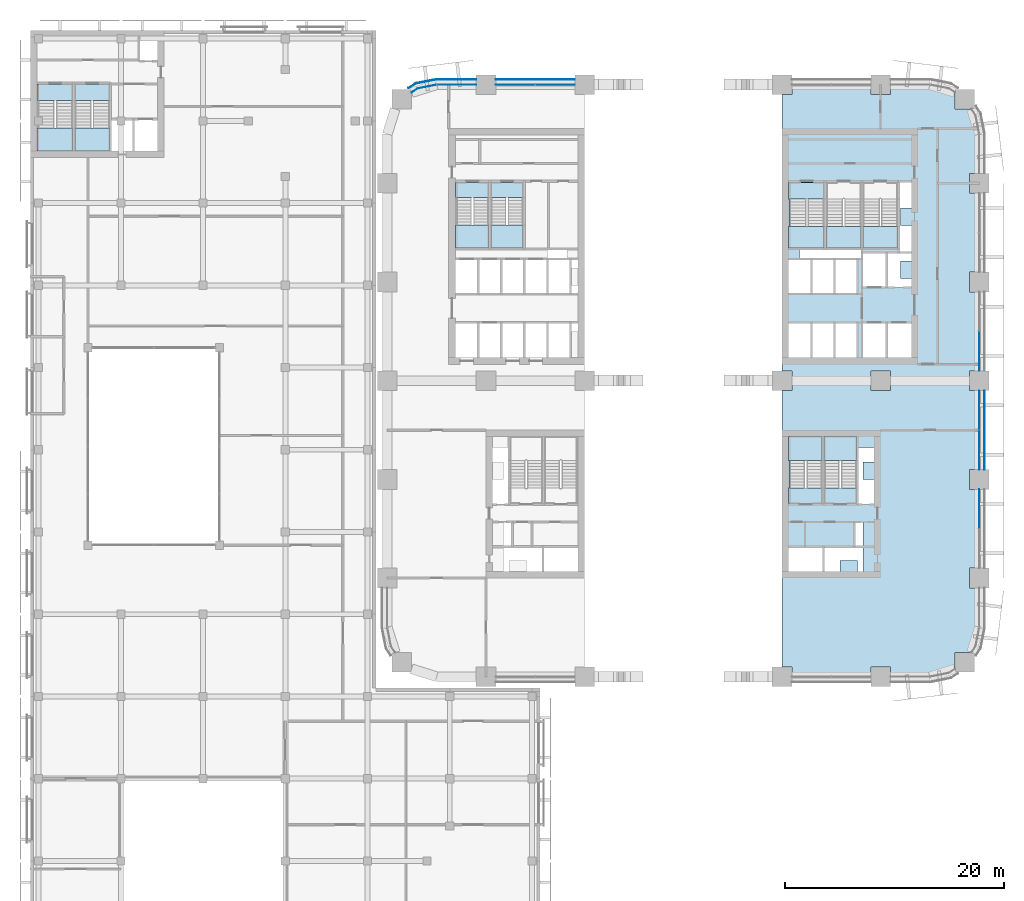
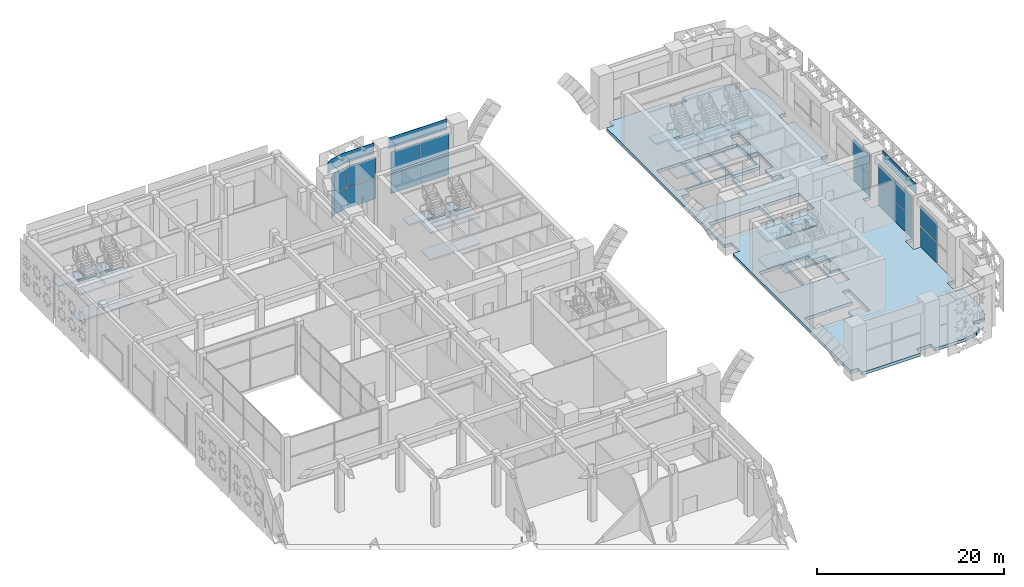
# One storey, part 12 of 42: 26 slabs, 19 plates, 14 elements without a shape of their own.
"""IFC4 building model written with IfcOpenShell, lengths in metres."""

from ifc_helpers import new_model, si_unit, direction, frame, origin, origin_2d, place, context, subcontext, project, spatial, polyline, rectangle, outline, extrude, material, layer, layer_set, type_object, element, aggregate, save


model = new_model("IFC4")

# Units and contexts
model_context = context("Model", 3, precision=1e-05, world=origin(), true_north=direction((0.0, 1.0)))
body_context = subcontext(model_context, "Body", "Model", "MODEL_VIEW")
ifc_project = project(units=[si_unit("LENGTHUNIT", "METRE"), si_unit("AREAUNIT", "SQUARE_METRE"), si_unit("VOLUMEUNIT", "CUBIC_METRE"), si_unit("PLANEANGLEUNIT", "RADIAN"), si_unit("MASSUNIT", "GRAM", prefix="KILO")], contexts=[model_context])

# Site, building, storey
site_placement = place(None, origin())
site = spatial("IfcSite", under=ifc_project, at=site_placement, CompositionType="ELEMENT")
building_placement = place(site_placement, origin())
building = spatial("IfcBuilding", under=site, at=building_placement, Name="Tessera Arch", CompositionType="ELEMENT")
storey_placement = place(building_placement, frame((0.0, 0.0, 14.0)))
storey = spatial("IfcBuildingStorey", under=building, at=storey_placement, Name="L02", CompositionType="ELEMENT", Elevation=14.0)

# Curtain wall, plates
ifc_material_1 = material(Name="CW2 curtain wall")
curtain_wall_type_1 = type_object("IfcCurtainWallType", Name="CW2 curtain wall", PredefinedType="NOTDEFINED", material=ifc_material_1)
curtain_wall_1_placement = place(storey_placement, origin())
curtain_wall_1 = element("IfcCurtainWall", 1, at=curtain_wall_1_placement, inside=storey, type_object=curtain_wall_type_1, Name="CW2 curtain wall N54.0/1 L02", PredefinedType="NOTDEFINED")
ifc_material_2 = material(Name="Clear low-e glass", Category="glass")
ifc_layer_1 = layer(ifc_material_2, 0.028076171875)
ifc_layer_set_1 = layer_set([ifc_layer_1], Name="CW2 glass panel")
plate_type_1 = type_object("IfcPlateType", Name="CW2 glass panel", PredefinedType="CURTAIN_PANEL", material=ifc_layer_set_1)
plate_1_placement = place(storey_placement, frame((6.320068359375, 54.0, 0.0), z_axis=(0.0, 0.0, 1.0), x_axis=(-1.0, 0.0, 0.0)))
plate_1 = element("IfcPlate", 2, at=plate_1_placement, type_object=plate_type_1, Name="CW2 glass panel N54.0/1 1.1", PredefinedType="CURTAIN_PANEL", context=body_context, shape_type="SweptSolid", body=[
    extrude(rectangle(XDim=3.56005859375, YDim=0.028076171875, at=origin_2d()), origin(), (0.0, 0.0, 1.0), 2.695068359375),
])
plate_2_placement = place(storey_placement, origin())
plate_2 = element("IfcPlate", 3, at=plate_2_placement, type_object=plate_type_1, Name="CW2 curved glass panel N54.0/1 2.1", PredefinedType="CURTAIN_PANEL", context=body_context, shape_type="SweptSolid", body=[
    extrude(outline(polyline([(2.783447265625, 53.644287109375), (4.46337890625, 53.978515625), (4.4580078125, 54.005859375), (2.7724609375, 53.670654296875), (2.210205078125, 53.294921875), (2.225830078125, 53.271728515625), (2.783447265625, 53.644287109375)])), origin(), (0.0, 0.0, 1.0), 2.695068359375),
])
plate_3_placement = place(storey_placement, frame((6.320068359375, 54.0, 2.794921875), z_axis=(0.0, 0.0, 1.0), x_axis=(-1.0, 0.0, 0.0)))
plate_3 = element("IfcPlate", 4, at=plate_3_placement, type_object=plate_type_1, Name="CW2 glass panel N54.0/1 1.2", PredefinedType="CURTAIN_PANEL", context=body_context, shape_type="SweptSolid", body=[
    extrude(rectangle(XDim=3.56005859375, YDim=0.028076171875, at=origin_2d()), origin(), (0.0, 0.0, 1.0), 2.695068359375),
])
plate_4_placement = place(storey_placement, frame((0.0, 0.0, 2.794921875)))
plate_4 = element("IfcPlate", 5, at=plate_4_placement, type_object=plate_type_1, Name="CW2 curved glass panel N54.0/1 2.2", PredefinedType="CURTAIN_PANEL", context=body_context, shape_type="SweptSolid", body=[
    extrude(outline(polyline([(2.783447265625, 53.644287109375), (4.46337890625, 53.978515625), (4.4580078125, 54.005859375), (2.7724609375, 53.670654296875), (2.210205078125, 53.294921875), (2.225830078125, 53.271728515625), (2.783447265625, 53.644287109375)])), origin(), (0.0, 0.0, 1.0), 2.695068359375),
])
ifc_material_3 = material(Name="Pale anodised aluminium panel", Category="aluminium")
ifc_layer_2 = layer(ifc_material_3, 0.06005859375)
ifc_layer_set_2 = layer_set([ifc_layer_2], Name="CW2 spandrel panel")
plate_type_2 = type_object("IfcPlateType", Name="CW2 spandrel panel", PredefinedType="CURTAIN_PANEL", material=ifc_layer_set_2)
plate_5_placement = place(storey_placement, frame((0.0, 0.0, 5.590087890625)))
plate_5 = element("IfcPlate", 6, at=plate_5_placement, type_object=plate_type_2, Name="CW2 spandrel panel N54.0/1", PredefinedType="CURTAIN_PANEL", context=body_context, shape_type="SweptSolid", body=[
    extrude(outline(polyline([(4.500732421875, 54.449951171875), (8.10009765625, 54.449951171875), (8.10009765625, 54.510009765625), (4.499267578125, 54.510009765625), (4.449951171875, 54.507568359375), (4.401123046875, 54.500244140625), (2.677734375, 54.157470703125), (2.6298828125, 54.1455078125), (2.582763671875, 54.128662109375), (2.537353515625, 54.107177734375), (2.4951171875, 54.08203125), (1.9345703125, 53.707275390625), (1.968017578125, 53.657470703125), (2.52734375, 54.03125), (2.565673828125, 54.05419921875), (2.605712890625, 54.0732421875), (2.647216796875, 54.088134765625), (2.69091796875, 54.09912109375), (4.411376953125, 54.441162109375), (4.455810546875, 54.44775390625), (4.500732421875, 54.449951171875)])), origin(), (0.0, 0.0, 1.0), 1.409912109375),
])
aggregate(curtain_wall_1, [plate_1, plate_2, plate_3, plate_4, plate_5])

ifc_material_4 = material(Name="CW6 curtain wall")
curtain_wall_type_2 = type_object("IfcCurtainWallType", Name="CW6 curtain wall", PredefinedType="NOTDEFINED", material=ifc_material_4)
curtain_wall_2_placement = place(storey_placement, origin())
curtain_wall_2 = element("IfcCurtainWall", 7, at=curtain_wall_2_placement, inside=storey, type_object=curtain_wall_type_2, Name="CW6 curtain wall N54.0/0 L02", PredefinedType="NOTDEFINED")
ifc_material_5 = material(Name="Clear low-e glass", Category="glass")
ifc_layer_3 = layer(ifc_material_5, 0.028076171875)
ifc_layer_set_3 = layer_set([ifc_layer_3], Name="CW6 glass panel")
plate_type_3 = type_object("IfcPlateType", Name="CW6 glass panel", PredefinedType="CURTAIN_PANEL", material=ifc_layer_set_3)
plate_6_placement = place(storey_placement, frame((15.3173828125, 54.0, 0.0), z_axis=(0.0, 0.0, 1.0), x_axis=(-1.0, 0.0, 0.0)))
plate_6 = element("IfcPlate", 8, at=plate_6_placement, type_object=plate_type_3, Name="CW6 glass panel N54.0/0 1.1.1", PredefinedType="CURTAIN_PANEL", context=body_context, shape_type="SweptSolid", body=[
    extrude(rectangle(XDim=3.56494140625, YDim=0.028076171875, at=origin_2d()), origin(), (0.0, 0.0, 1.0), 2.675048828125),
])
plate_7_placement = place(storey_placement, frame((15.3173828125, 54.0, 2.794921875), z_axis=(0.0, 0.0, 1.0), x_axis=(-1.0, 0.0, 0.0)))
plate_7 = element("IfcPlate", 9, at=plate_7_placement, type_object=plate_type_3, Name="CW6 glass panel N54.0/0 1.1.2", PredefinedType="CURTAIN_PANEL", context=body_context, shape_type="SweptSolid", body=[
    extrude(rectangle(XDim=3.56494140625, YDim=0.028076171875, at=origin_2d()), origin(), (0.0, 0.0, 1.0), 2.675048828125),
])
plate_8_placement = place(storey_placement, frame((11.6826171875, 54.0, 0.0), z_axis=(0.0, 0.0, 1.0), x_axis=(-1.0, 0.0, 0.0)))
plate_8 = element("IfcPlate", 10, at=plate_8_placement, type_object=plate_type_3, Name="CW6 glass panel N54.0/0 1.2.1", PredefinedType="CURTAIN_PANEL", context=body_context, shape_type="SweptSolid", body=[
    extrude(rectangle(XDim=3.56494140625, YDim=0.028076171875, at=origin_2d()), origin(), (0.0, 0.0, 1.0), 2.675048828125),
])
plate_9_placement = place(storey_placement, frame((11.6826171875, 54.0, 2.794921875), z_axis=(0.0, 0.0, 1.0), x_axis=(-1.0, 0.0, 0.0)))
plate_9 = element("IfcPlate", 11, at=plate_9_placement, type_object=plate_type_3, Name="CW6 glass panel N54.0/0 1.2.2", PredefinedType="CURTAIN_PANEL", context=body_context, shape_type="SweptSolid", body=[
    extrude(rectangle(XDim=3.56494140625, YDim=0.028076171875, at=origin_2d()), origin(), (0.0, 0.0, 1.0), 2.675048828125),
])

curtain_wall_3_placement = place(storey_placement, origin())
curtain_wall_3 = element("IfcCurtainWall", 12, at=curtain_wall_3_placement, inside=storey, type_object=curtain_wall_type_2, Name="CW6 curtain wall E54.0/0 L02", PredefinedType="NOTDEFINED")
plate_10_placement = place(storey_placement, frame((54.0, 15.3173828125, 0.0), z_axis=(0.0, 0.0, 1.0), x_axis=(0.0, 1.0, 0.0)))
plate_10 = element("IfcPlate", 13, at=plate_10_placement, type_object=plate_type_3, Name="CW6 glass panel E54.0/0 1.2.1", PredefinedType="CURTAIN_PANEL", context=body_context, shape_type="SweptSolid", body=[
    extrude(rectangle(XDim=3.56494140625, YDim=0.028076171875, at=origin_2d()), origin(), (0.0, 0.0, 1.0), 2.675048828125),
])
plate_11_placement = place(storey_placement, frame((54.0, 15.3173828125, 2.794921875), z_axis=(0.0, 0.0, 1.0), x_axis=(0.0, 1.0, 0.0)))
plate_11 = element("IfcPlate", 14, at=plate_11_placement, type_object=plate_type_3, Name="CW6 glass panel E54.0/0 1.2.2", PredefinedType="CURTAIN_PANEL", context=body_context, shape_type="SweptSolid", body=[
    extrude(rectangle(XDim=3.56494140625, YDim=0.028076171875, at=origin_2d()), origin(), (0.0, 0.0, 1.0), 2.675048828125),
])
aggregate(curtain_wall_3, [plate_10, plate_11])

curtain_wall_4_placement = place(storey_placement, origin())
curtain_wall_4 = element("IfcCurtainWall", 15, at=curtain_wall_4_placement, inside=storey, type_object=curtain_wall_type_2, Name="CW6 curtain wall E54.0/1 L02", PredefinedType="NOTDEFINED")
plate_12_placement = place(storey_placement, frame((54.0, 20.6826171875, 0.0), z_axis=(0.0, 0.0, 1.0), x_axis=(0.0, 1.0, 0.0)))
plate_12 = element("IfcPlate", 16, at=plate_12_placement, type_object=plate_type_3, Name="CW6 glass panel E54.0/1 1.1.1", PredefinedType="CURTAIN_PANEL", context=body_context, shape_type="SweptSolid", body=[
    extrude(rectangle(XDim=3.56494140625, YDim=0.028076171875, at=origin_2d()), origin(), (0.0, 0.0, 1.0), 2.675048828125),
])
plate_13_placement = place(storey_placement, frame((54.0, 20.6826171875, 2.794921875), z_axis=(0.0, 0.0, 1.0), x_axis=(0.0, 1.0, 0.0)))
plate_13 = element("IfcPlate", 17, at=plate_13_placement, type_object=plate_type_3, Name="CW6 glass panel E54.0/1 1.1.2", PredefinedType="CURTAIN_PANEL", context=body_context, shape_type="SweptSolid", body=[
    extrude(rectangle(XDim=3.56494140625, YDim=0.028076171875, at=origin_2d()), origin(), (0.0, 0.0, 1.0), 2.675048828125),
])
plate_14_placement = place(storey_placement, frame((54.0, 24.3173828125, 0.0), z_axis=(0.0, 0.0, 1.0), x_axis=(0.0, 1.0, 0.0)))
plate_14 = element("IfcPlate", 18, at=plate_14_placement, type_object=plate_type_3, Name="CW6 glass panel E54.0/1 1.2.1", PredefinedType="CURTAIN_PANEL", context=body_context, shape_type="SweptSolid", body=[
    extrude(rectangle(XDim=3.56494140625, YDim=0.028076171875, at=origin_2d()), origin(), (0.0, 0.0, 1.0), 2.675048828125),
])
plate_15_placement = place(storey_placement, frame((54.0, 24.3173828125, 2.794921875), z_axis=(0.0, 0.0, 1.0), x_axis=(0.0, 1.0, 0.0)))
plate_15 = element("IfcPlate", 19, at=plate_15_placement, type_object=plate_type_3, Name="CW6 glass panel E54.0/1 1.2.2", PredefinedType="CURTAIN_PANEL", context=body_context, shape_type="SweptSolid", body=[
    extrude(rectangle(XDim=3.56494140625, YDim=0.028076171875, at=origin_2d()), origin(), (0.0, 0.0, 1.0), 2.675048828125),
])

curtain_wall_5_placement = place(storey_placement, origin())
curtain_wall_5 = element("IfcCurtainWall", 20, at=curtain_wall_5_placement, inside=storey, type_object=curtain_wall_type_2, Name="CW6 curtain wall E54.0/2 L02", PredefinedType="NOTDEFINED")
plate_16_placement = place(storey_placement, frame((54.0, 29.6826171875, 0.0), z_axis=(0.0, 0.0, 1.0), x_axis=(0.0, 1.0, 0.0)))
plate_16 = element("IfcPlate", 21, at=plate_16_placement, type_object=plate_type_3, Name="CW6 glass panel E54.0/2 1.1.1", PredefinedType="CURTAIN_PANEL", context=body_context, shape_type="SweptSolid", body=[
    extrude(rectangle(XDim=3.56494140625, YDim=0.028076171875, at=origin_2d()), origin(), (0.0, 0.0, 1.0), 2.675048828125),
])
plate_17_placement = place(storey_placement, frame((54.0, 29.6826171875, 2.794921875), z_axis=(0.0, 0.0, 1.0), x_axis=(0.0, 1.0, 0.0)))
plate_17 = element("IfcPlate", 22, at=plate_17_placement, type_object=plate_type_3, Name="CW6 glass panel E54.0/2 1.1.2", PredefinedType="CURTAIN_PANEL", context=body_context, shape_type="SweptSolid", body=[
    extrude(rectangle(XDim=3.56494140625, YDim=0.028076171875, at=origin_2d()), origin(), (0.0, 0.0, 1.0), 2.675048828125),
])
aggregate(curtain_wall_5, [plate_16, plate_17])

# Plate
ifc_material_6 = material(Name="Pale anodised aluminium panel", Category="aluminium")
ifc_layer_4 = layer(ifc_material_6, 0.06005859375)
ifc_layer_set_4 = layer_set([ifc_layer_4], Name="CW6 spandrel panel")
plate_type_4 = type_object("IfcPlateType", Name="CW6 spandrel panel", PredefinedType="CURTAIN_PANEL", material=ifc_layer_set_4)
plate_18_placement = place(storey_placement, frame((13.5, 54.47998046875, 5.58984375), z_axis=(0.0, 0.0, 1.0), x_axis=(-1.0, 0.0, 0.0)))
plate_18 = element("IfcPlate", 23, at=plate_18_placement, type_object=plate_type_4, Name="CW6 spandrel panel N54.0/0", PredefinedType="CURTAIN_PANEL", context=body_context, shape_type="SweptSolid", body=[
    extrude(rectangle(XDim=7.199951171875, YDim=0.06005859375, at=origin_2d()), origin(), (0.0, 0.0, 1.0), 1.409912109375),
])

aggregate(curtain_wall_2, [plate_6, plate_7, plate_8, plate_9, plate_18])

plate_19_placement = place(storey_placement, frame((54.47998046875, 22.5, 5.58984375), z_axis=(0.0, 0.0, 1.0), x_axis=(0.0, 1.0, 0.0)))
plate_19 = element("IfcPlate", 24, at=plate_19_placement, type_object=plate_type_4, Name="CW6 spandrel panel E54.0/1", PredefinedType="CURTAIN_PANEL", context=body_context, shape_type="SweptSolid", body=[
    extrude(rectangle(XDim=7.199951171875, YDim=0.06005859375, at=origin_2d()), origin(), (0.0, 0.0, 1.0), 1.409912109375),
])

aggregate(curtain_wall_4, [plate_12, plate_13, plate_14, plate_15, plate_19])

# Slab
ifc_material_7 = material(Name="Concrete C40/50", Category="concrete")
ifc_layer_5 = layer(ifc_material_7, 0.409912109375)
ifc_layer_set_5 = layer_set([ifc_layer_5], Name="Floor slab 410 Concrete C40/50")
slab_type_1 = type_object("IfcSlabType", Name="Floor slab 410 Concrete C40/50", PredefinedType="FLOOR", material=ifc_layer_set_5)
slab_1_placement = place(storey_placement, frame((0.0, 0.0, -0.409912109375)))
element("IfcSlab", 25, at=slab_1_placement, inside=storey, type_object=slab_type_1, Name="Floor slab L02 2", PredefinedType="FLOOR", context=body_context, shape_type="SweptSolid", body=[
    extrude(outline(polyline([(53.283447265625, 2.218017578125), (51.781982421875, 2.218017578125), (51.781982421875, 0.716552734375), (51.22216796875, 0.342529296875), (49.5, 0.0), (45.89990234375, 0.0), (45.89990234375, 0.89990234375), (44.10009765625, 0.89990234375), (44.10009765625, 0.0), (36.89990234375, 0.0), (36.89990234375, 0.89990234375), (36.0, 0.89990234375), (36.0, 26.10009765625), (36.89990234375, 26.10009765625), (36.89990234375, 27.89990234375), (36.0, 27.89990234375), (36.0, 53.10009765625), (36.89990234375, 53.10009765625), (36.89990234375, 54.0), (44.10009765625, 54.0), (44.10009765625, 53.10009765625), (45.89990234375, 53.10009765625), (45.89990234375, 54.0), (49.5, 54.0), (51.22216796875, 53.657470703125), (51.781982421875, 53.283447265625), (51.781982421875, 51.781982421875), (53.283447265625, 51.781982421875), (53.657470703125, 51.22216796875), (54.0, 49.5), (54.0, 45.89990234375), (53.10009765625, 45.89990234375), (53.10009765625, 44.10009765625), (54.0, 44.10009765625), (54.0, 36.89990234375), (53.10009765625, 36.89990234375), (53.10009765625, 35.10009765625), (54.0, 35.10009765625), (54.0, 27.89990234375), (53.10009765625, 27.89990234375), (53.10009765625, 26.10009765625), (54.0, 26.10009765625), (54.0, 18.89990234375), (53.10009765625, 18.89990234375), (53.10009765625, 17.10009765625), (54.0, 17.10009765625), (54.0, 9.89990234375), (53.10009765625, 9.89990234375), (53.10009765625, 8.10009765625), (54.0, 8.10009765625), (54.0, 4.5), (53.657470703125, 2.77783203125), (53.283447265625, 2.218017578125)]), holes=[polyline([(38.10009765625, 17.199951171875), (38.25, 17.199951171875), (38.25, 17.2099609375), (39.64990234375, 17.2099609375), (39.64990234375, 21.699951171875), (36.699951171875, 21.699951171875), (36.699951171875, 17.2099609375), (38.10009765625, 17.2099609375), (38.10009765625, 17.199951171875)]), polyline([(38.699951171875, 29.10009765625), (40.800048828125, 29.10009765625), (42.89990234375, 29.10009765625), (42.89990234375, 32.300048828125), (40.800048828125, 32.300048828125), (38.699951171875, 32.300048828125), (36.60009765625, 32.300048828125), (36.60009765625, 29.10009765625), (38.699951171875, 29.10009765625)]), polyline([(36.60009765625, 38.10009765625), (36.60009765625, 34.89990234375), (38.699951171875, 34.89990234375), (40.800048828125, 34.89990234375), (42.89990234375, 34.89990234375), (42.89990234375, 38.10009765625), (43.300048828125, 38.10009765625), (43.300048828125, 35.5), (45.550048828125, 35.5), (47.800048828125, 35.5), (47.800048828125, 36.300048828125), (46.800048828125, 36.300048828125), (46.800048828125, 37.89990234375), (47.800048828125, 37.89990234375), (47.800048828125, 38.699951171875), (47.800048828125, 41.14990234375), (46.800048828125, 41.14990234375), (46.800048828125, 42.75), (47.800048828125, 42.75), (47.800048828125, 45.199951171875), (46.64990234375, 45.199951171875), (46.64990234375, 38.699951171875), (45.550048828125, 38.699951171875), (43.300048828125, 38.699951171875), (43.300048828125, 39.0), (37.60009765625, 39.0), (37.60009765625, 38.10009765625), (36.60009765625, 38.10009765625)]), polyline([(39.800048828125, 11.89990234375), (39.800048828125, 11.85009765625), (36.60009765625, 11.85009765625), (36.60009765625, 9.60009765625), (39.800048828125, 9.60009765625), (41.300048828125, 9.60009765625), (41.300048828125, 10.60009765625), (42.89990234375, 10.60009765625), (42.89990234375, 9.60009765625), (43.39990234375, 9.60009765625), (43.39990234375, 11.89990234375), (43.39990234375, 14.10009765625), (42.60009765625, 14.10009765625), (42.60009765625, 11.89990234375), (39.800048828125, 11.89990234375)]), polyline([(42.89990234375, 15.699951171875), (44.39990234375, 15.699951171875), (44.39990234375, 18.0), (43.39990234375, 18.0), (43.39990234375, 19.60009765625), (44.39990234375, 19.60009765625), (44.39990234375, 20.89990234375), (42.89990234375, 20.89990234375), (42.89990234375, 15.699951171875)]), polyline([(41.25, 17.199951171875), (41.39990234375, 17.199951171875), (41.39990234375, 17.2099609375), (42.800048828125, 17.2099609375), (42.800048828125, 21.699951171875), (39.85009765625, 21.699951171875), (39.85009765625, 17.2099609375), (41.25, 17.2099609375), (41.25, 17.199951171875)]), polyline([(44.10009765625, 27.89990234375), (44.10009765625, 26.10009765625), (45.89990234375, 26.10009765625), (45.89990234375, 27.89990234375), (44.10009765625, 27.89990234375)]), polyline([(45.550048828125, 29.10009765625), (47.800048828125, 29.10009765625), (47.800048828125, 32.300048828125), (45.550048828125, 32.300048828125), (43.300048828125, 32.300048828125), (43.300048828125, 29.10009765625), (45.550048828125, 29.10009765625)]), polyline([(38.330078125, 43.570068359375), (38.330078125, 43.580078125), (38.219970703125, 43.580078125), (38.219970703125, 43.570068359375), (36.699951171875, 43.570068359375), (36.699951171875, 39.199951171875), (39.85009765625, 39.199951171875), (39.85009765625, 43.570068359375), (38.330078125, 43.570068359375)]), polyline([(45.030029296875, 43.580078125), (44.919921875, 43.580078125), (44.919921875, 43.570068359375), (43.39990234375, 43.570068359375), (43.39990234375, 39.199951171875), (46.550048828125, 39.199951171875), (46.550048828125, 43.570068359375), (45.030029296875, 43.570068359375), (45.030029296875, 43.580078125)]), polyline([(41.679931640625, 43.570068359375), (41.679931640625, 43.580078125), (41.570068359375, 43.580078125), (41.570068359375, 43.570068359375), (40.050048828125, 43.570068359375), (40.050048828125, 39.199951171875), (43.199951171875, 39.199951171875), (43.199951171875, 43.570068359375), (41.679931640625, 43.570068359375)])]), origin(), (0.0, 0.0, 1.0), 0.409912109375),
])

# Stair, slabs
ifc_material_8 = material(Name="Concrete C40/50", Category="concrete")
stair_type_1 = type_object("IfcStairType", Name="Dogleg stair 1500", PredefinedType="HALF_TURN_STAIR", material=ifc_material_8)
stair_1_placement = place(storey_placement, origin())
stair_1 = element("IfcStair", 26, at=stair_1_placement, inside=storey, type_object=stair_type_1, Name="L02 M1a", PredefinedType="HALF_TURN_STAIR")
ifc_material_9 = material(Name="Concrete C40/50", Category="concrete")
ifc_layer_6 = layer(ifc_material_9, 0.300048828125)
ifc_layer_set_6 = layer_set([ifc_layer_6], Name="Stair landing 300")
slab_type_2 = type_object("IfcSlabType", Name="Stair landing 300", PredefinedType="LANDING", material=ifc_layer_set_6)
slab_2_placement = place(storey_placement, frame((0.0, 0.0, 1.550048828125)))
slab_2 = element("IfcSlab", 27, at=slab_2_placement, type_object=slab_type_2, Name="M1a landing 1", PredefinedType="LANDING", context=body_context, shape_type="SweptSolid", body=[
    extrude(outline(polyline([(-31.949951171875, 50.030029296875), (-31.949951171875, 47.949951171875), (-28.699951171875, 47.949951171875), (-28.699951171875, 50.030029296875), (-31.949951171875, 50.030029296875)])), origin(), (0.0, 0.0, 1.0), 0.199951171875),
])
slab_3_placement = place(storey_placement, frame((0.0, 0.0, 3.300048828125)))
slab_3 = element("IfcSlab", 28, at=slab_3_placement, type_object=slab_type_2, Name="M1a landing 2", PredefinedType="LANDING", context=body_context, shape_type="SweptSolid", body=[
    extrude(outline(polyline([(-31.949951171875, 54.050048828125), (-31.949951171875, 52.550048828125), (-28.699951171875, 52.550048828125), (-28.699951171875, 54.050048828125), (-31.949951171875, 54.050048828125)])), origin(), (0.0, 0.0, 1.0), 0.199951171875),
])
slab_4_placement = place(storey_placement, frame((0.0, 0.0, 5.050048828125)))
slab_4 = element("IfcSlab", 29, at=slab_4_placement, type_object=slab_type_2, Name="M1a landing 3", PredefinedType="LANDING", context=body_context, shape_type="SweptSolid", body=[
    extrude(outline(polyline([(-31.949951171875, 50.030029296875), (-31.949951171875, 47.949951171875), (-28.699951171875, 47.949951171875), (-28.699951171875, 50.030029296875), (-31.949951171875, 50.030029296875)])), origin(), (0.0, 0.0, 1.0), 0.199951171875),
])
aggregate(stair_1, [slab_2, slab_3, slab_4])

stair_2_placement = place(storey_placement, origin())
stair_2 = element("IfcStair", 30, at=stair_2_placement, inside=storey, type_object=stair_type_1, Name="L02 M1b", PredefinedType="HALF_TURN_STAIR")
slab_5_placement = place(storey_placement, frame((0.0, 0.0, 1.550048828125)))
slab_5 = element("IfcSlab", 31, at=slab_5_placement, type_object=slab_type_2, Name="M1b landing 1", PredefinedType="LANDING", context=body_context, shape_type="SweptSolid", body=[
    extrude(outline(polyline([(-28.5, 50.030029296875), (-28.5, 47.949951171875), (-25.35009765625, 47.949951171875), (-25.35009765625, 50.030029296875), (-28.5, 50.030029296875)])), origin(), (0.0, 0.0, 1.0), 0.199951171875),
])
slab_6_placement = place(storey_placement, frame((0.0, 0.0, 3.300048828125)))
slab_6 = element("IfcSlab", 32, at=slab_6_placement, type_object=slab_type_2, Name="M1b landing 2", PredefinedType="LANDING", context=body_context, shape_type="SweptSolid", body=[
    extrude(outline(polyline([(-28.5, 54.050048828125), (-28.5, 52.550048828125), (-25.35009765625, 52.550048828125), (-25.35009765625, 54.050048828125), (-28.5, 54.050048828125)])), origin(), (0.0, 0.0, 1.0), 0.199951171875),
])
slab_7_placement = place(storey_placement, frame((0.0, 0.0, 5.050048828125)))
slab_7 = element("IfcSlab", 33, at=slab_7_placement, type_object=slab_type_2, Name="M1b landing 3", PredefinedType="LANDING", context=body_context, shape_type="SweptSolid", body=[
    extrude(outline(polyline([(-28.5, 50.030029296875), (-28.5, 47.949951171875), (-25.35009765625, 47.949951171875), (-25.35009765625, 50.030029296875), (-28.5, 50.030029296875)])), origin(), (0.0, 0.0, 1.0), 0.199951171875),
])
aggregate(stair_2, [slab_5, slab_6, slab_7])

ifc_material_10 = material(Name="Concrete C40/50", Category="concrete")
stair_type_2 = type_object("IfcStairType", Name="Dogleg stair 1520", PredefinedType="HALF_TURN_STAIR", material=ifc_material_10)
stair_3_placement = place(storey_placement, origin())
stair_3 = element("IfcStair", 34, at=stair_3_placement, inside=storey, type_object=stair_type_2, Name="L02 S1a", PredefinedType="HALF_TURN_STAIR")
slab_8_placement = place(storey_placement, frame((0.0, 0.0, 1.550048828125)))
slab_8 = element("IfcSlab", 35, at=slab_8_placement, type_object=slab_type_2, Name="S1a landing 1", PredefinedType="LANDING", context=body_context, shape_type="SweptSolid", body=[
    extrude(outline(polyline([(36.60009765625, 41.06005859375), (36.60009765625, 39.10009765625), (39.85009765625, 39.10009765625), (39.85009765625, 41.06005859375), (36.60009765625, 41.06005859375)])), origin(), (0.0, 0.0, 1.0), 0.199951171875),
])
slab_9_placement = place(storey_placement, frame((0.0, 0.0, 3.300048828125)))
slab_9 = element("IfcSlab", 36, at=slab_9_placement, type_object=slab_type_2, Name="S1a landing 2", PredefinedType="LANDING", context=body_context, shape_type="SweptSolid", body=[
    extrude(outline(polyline([(36.60009765625, 45.10009765625), (36.60009765625, 43.580078125), (39.85009765625, 43.580078125), (39.85009765625, 45.10009765625), (36.60009765625, 45.10009765625)])), origin(), (0.0, 0.0, 1.0), 0.199951171875),
])
slab_10_placement = place(storey_placement, frame((0.0, 0.0, 5.050048828125)))
slab_10 = element("IfcSlab", 37, at=slab_10_placement, type_object=slab_type_2, Name="S1a landing 3", PredefinedType="LANDING", context=body_context, shape_type="SweptSolid", body=[
    extrude(outline(polyline([(36.60009765625, 41.06005859375), (36.60009765625, 39.10009765625), (39.85009765625, 39.10009765625), (39.85009765625, 41.06005859375), (36.60009765625, 41.06005859375)])), origin(), (0.0, 0.0, 1.0), 0.199951171875),
])
aggregate(stair_3, [slab_8, slab_9, slab_10])

stair_4_placement = place(storey_placement, origin())
stair_4 = element("IfcStair", 38, at=stair_4_placement, inside=storey, type_object=stair_type_2, Name="L02 S1b", PredefinedType="HALF_TURN_STAIR")
slab_11_placement = place(storey_placement, frame((0.0, 0.0, 1.550048828125)))
slab_11 = element("IfcSlab", 39, at=slab_11_placement, type_object=slab_type_2, Name="S1b landing 1", PredefinedType="LANDING", context=body_context, shape_type="SweptSolid", body=[
    extrude(outline(polyline([(40.050048828125, 41.06005859375), (40.050048828125, 39.10009765625), (43.199951171875, 39.10009765625), (43.199951171875, 41.06005859375), (40.050048828125, 41.06005859375)])), origin(), (0.0, 0.0, 1.0), 0.199951171875),
])
slab_12_placement = place(storey_placement, frame((0.0, 0.0, 5.050048828125)))
slab_12 = element("IfcSlab", 40, at=slab_12_placement, type_object=slab_type_2, Name="S1b landing 3", PredefinedType="LANDING", context=body_context, shape_type="SweptSolid", body=[
    extrude(outline(polyline([(40.050048828125, 41.06005859375), (40.050048828125, 39.10009765625), (43.199951171875, 39.10009765625), (43.199951171875, 41.06005859375), (40.050048828125, 41.06005859375)])), origin(), (0.0, 0.0, 1.0), 0.199951171875),
])
aggregate(stair_4, [slab_11, slab_12])

stair_5_placement = place(storey_placement, origin())
stair_5 = element("IfcStair", 41, at=stair_5_placement, inside=storey, type_object=stair_type_2, Name="L02 S1c", PredefinedType="HALF_TURN_STAIR")
slab_13_placement = place(storey_placement, frame((0.0, 0.0, 1.550048828125)))
slab_13 = element("IfcSlab", 42, at=slab_13_placement, type_object=slab_type_2, Name="S1c landing 1", PredefinedType="LANDING", context=body_context, shape_type="SweptSolid", body=[
    extrude(outline(polyline([(43.39990234375, 41.06005859375), (43.39990234375, 39.10009765625), (46.550048828125, 39.10009765625), (46.550048828125, 41.06005859375), (43.39990234375, 41.06005859375)])), origin(), (0.0, 0.0, 1.0), 0.199951171875),
])
slab_14_placement = place(storey_placement, frame((0.0, 0.0, 5.050048828125)))
slab_14 = element("IfcSlab", 43, at=slab_14_placement, type_object=slab_type_2, Name="S1c landing 3", PredefinedType="LANDING", context=body_context, shape_type="SweptSolid", body=[
    extrude(outline(polyline([(43.39990234375, 41.06005859375), (43.39990234375, 39.10009765625), (46.550048828125, 39.10009765625), (46.550048828125, 41.06005859375), (43.39990234375, 41.06005859375)])), origin(), (0.0, 0.0, 1.0), 0.199951171875),
])
aggregate(stair_5, [slab_13, slab_14])

ifc_material_11 = material(Name="Concrete C40/50", Category="concrete")
stair_type_3 = type_object("IfcStairType", Name="Dogleg stair 1400", PredefinedType="HALF_TURN_STAIR", material=ifc_material_11)
stair_6_placement = place(storey_placement, origin())
stair_6 = element("IfcStair", 44, at=stair_6_placement, inside=storey, type_object=stair_type_3, Name="L02 S2a", PredefinedType="HALF_TURN_STAIR")
slab_15_placement = place(storey_placement, frame((0.0, 0.0, 1.550048828125)))
slab_15 = element("IfcSlab", 45, at=slab_15_placement, type_object=slab_type_2, Name="S2a landing 1", PredefinedType="LANDING", context=body_context, shape_type="SweptSolid", body=[
    extrude(outline(polyline([(6.199951171875, 41.179931640625), (6.199951171875, 39.10009765625), (9.25, 39.10009765625), (9.25, 41.179931640625), (6.199951171875, 41.179931640625)])), origin(), (0.0, 0.0, 1.0), 0.199951171875),
])
slab_16_placement = place(storey_placement, frame((0.0, 0.0, 3.300048828125)))
slab_16 = element("IfcSlab", 46, at=slab_16_placement, type_object=slab_type_2, Name="S2a landing 2", PredefinedType="LANDING", context=body_context, shape_type="SweptSolid", body=[
    extrude(outline(polyline([(6.199951171875, 45.10009765625), (6.199951171875, 43.699951171875), (9.25, 43.699951171875), (9.25, 45.10009765625), (6.199951171875, 45.10009765625)])), origin(), (0.0, 0.0, 1.0), 0.199951171875),
])
slab_17_placement = place(storey_placement, frame((0.0, 0.0, 5.050048828125)))
slab_17 = element("IfcSlab", 47, at=slab_17_placement, type_object=slab_type_2, Name="S2a landing 3", PredefinedType="LANDING", context=body_context, shape_type="SweptSolid", body=[
    extrude(outline(polyline([(6.199951171875, 41.179931640625), (6.199951171875, 39.10009765625), (9.25, 39.10009765625), (9.25, 41.179931640625), (6.199951171875, 41.179931640625)])), origin(), (0.0, 0.0, 1.0), 0.199951171875),
])
aggregate(stair_6, [slab_15, slab_16, slab_17])

stair_7_placement = place(storey_placement, origin())
stair_7 = element("IfcStair", 48, at=stair_7_placement, inside=storey, type_object=stair_type_3, Name="L02 S2b", PredefinedType="HALF_TURN_STAIR")
slab_18_placement = place(storey_placement, frame((0.0, 0.0, 1.550048828125)))
slab_18 = element("IfcSlab", 49, at=slab_18_placement, type_object=slab_type_2, Name="S2b landing 1", PredefinedType="LANDING", context=body_context, shape_type="SweptSolid", body=[
    extrude(outline(polyline([(9.449951171875, 41.179931640625), (9.449951171875, 39.10009765625), (12.39990234375, 39.10009765625), (12.39990234375, 41.179931640625), (9.449951171875, 41.179931640625)])), origin(), (0.0, 0.0, 1.0), 0.199951171875),
])
slab_19_placement = place(storey_placement, frame((0.0, 0.0, 3.300048828125)))
slab_19 = element("IfcSlab", 50, at=slab_19_placement, type_object=slab_type_2, Name="S2b landing 2", PredefinedType="LANDING", context=body_context, shape_type="SweptSolid", body=[
    extrude(outline(polyline([(9.449951171875, 45.10009765625), (9.449951171875, 43.699951171875), (12.39990234375, 43.699951171875), (12.39990234375, 45.10009765625), (9.449951171875, 45.10009765625)])), origin(), (0.0, 0.0, 1.0), 0.199951171875),
])
slab_20_placement = place(storey_placement, frame((0.0, 0.0, 5.050048828125)))
slab_20 = element("IfcSlab", 51, at=slab_20_placement, type_object=slab_type_2, Name="S2b landing 3", PredefinedType="LANDING", context=body_context, shape_type="SweptSolid", body=[
    extrude(outline(polyline([(9.449951171875, 41.179931640625), (9.449951171875, 39.10009765625), (12.39990234375, 39.10009765625), (12.39990234375, 41.179931640625), (9.449951171875, 41.179931640625)])), origin(), (0.0, 0.0, 1.0), 0.199951171875),
])
aggregate(stair_7, [slab_18, slab_19, slab_20])

stair_8_placement = place(storey_placement, origin())
stair_8 = element("IfcStair", 52, at=stair_8_placement, inside=storey, type_object=stair_type_3, Name="L02 S3a", PredefinedType="HALF_TURN_STAIR")
slab_21_placement = place(storey_placement, frame((0.0, 0.0, 1.550048828125)))
slab_21 = element("IfcSlab", 53, at=slab_21_placement, type_object=slab_type_2, Name="S3a landing 1", PredefinedType="LANDING", context=body_context, shape_type="SweptSolid", body=[
    extrude(outline(polyline([(39.64990234375, 19.719970703125), (39.64990234375, 21.89990234375), (36.60009765625, 21.89990234375), (36.60009765625, 19.719970703125), (39.64990234375, 19.719970703125)])), origin(), (0.0, 0.0, 1.0), 0.199951171875),
])
slab_22_placement = place(storey_placement, frame((0.0, 0.0, 3.300048828125)))
slab_22 = element("IfcSlab", 54, at=slab_22_placement, type_object=slab_type_2, Name="S3a landing 2", PredefinedType="LANDING", context=body_context, shape_type="SweptSolid", body=[
    extrude(outline(polyline([(39.64990234375, 15.800048828125), (39.64990234375, 17.199951171875), (36.60009765625, 17.199951171875), (36.60009765625, 15.800048828125), (39.64990234375, 15.800048828125)])), origin(), (0.0, 0.0, 1.0), 0.199951171875),
])
slab_23_placement = place(storey_placement, frame((0.0, 0.0, 5.050048828125)))
slab_23 = element("IfcSlab", 55, at=slab_23_placement, type_object=slab_type_2, Name="S3a landing 3", PredefinedType="LANDING", context=body_context, shape_type="SweptSolid", body=[
    extrude(outline(polyline([(39.64990234375, 19.719970703125), (39.64990234375, 21.89990234375), (36.60009765625, 21.89990234375), (36.60009765625, 19.719970703125), (39.64990234375, 19.719970703125)])), origin(), (0.0, 0.0, 1.0), 0.199951171875),
])
aggregate(stair_8, [slab_21, slab_22, slab_23])

stair_9_placement = place(storey_placement, origin())
stair_9 = element("IfcStair", 56, at=stair_9_placement, inside=storey, type_object=stair_type_3, Name="L02 S3b", PredefinedType="HALF_TURN_STAIR")
slab_24_placement = place(storey_placement, frame((0.0, 0.0, 1.550048828125)))
slab_24 = element("IfcSlab", 57, at=slab_24_placement, type_object=slab_type_2, Name="S3b landing 1", PredefinedType="LANDING", context=body_context, shape_type="SweptSolid", body=[
    extrude(outline(polyline([(42.800048828125, 19.719970703125), (42.800048828125, 21.89990234375), (39.85009765625, 21.89990234375), (39.85009765625, 19.719970703125), (42.800048828125, 19.719970703125)])), origin(), (0.0, 0.0, 1.0), 0.199951171875),
])
slab_25_placement = place(storey_placement, frame((0.0, 0.0, 3.300048828125)))
slab_25 = element("IfcSlab", 58, at=slab_25_placement, type_object=slab_type_2, Name="S3b landing 2", PredefinedType="LANDING", context=body_context, shape_type="SweptSolid", body=[
    extrude(outline(polyline([(42.800048828125, 15.800048828125), (42.800048828125, 17.199951171875), (39.85009765625, 17.199951171875), (39.85009765625, 15.800048828125), (42.800048828125, 15.800048828125)])), origin(), (0.0, 0.0, 1.0), 0.199951171875),
])
slab_26_placement = place(storey_placement, frame((0.0, 0.0, 5.050048828125)))
slab_26 = element("IfcSlab", 59, at=slab_26_placement, type_object=slab_type_2, Name="S3b landing 3", PredefinedType="LANDING", context=body_context, shape_type="SweptSolid", body=[
    extrude(outline(polyline([(42.800048828125, 19.719970703125), (42.800048828125, 21.89990234375), (39.85009765625, 21.89990234375), (39.85009765625, 19.719970703125), (42.800048828125, 19.719970703125)])), origin(), (0.0, 0.0, 1.0), 0.199951171875),
])
aggregate(stair_9, [slab_24, slab_25, slab_26])

save(model, "model.ifc")
